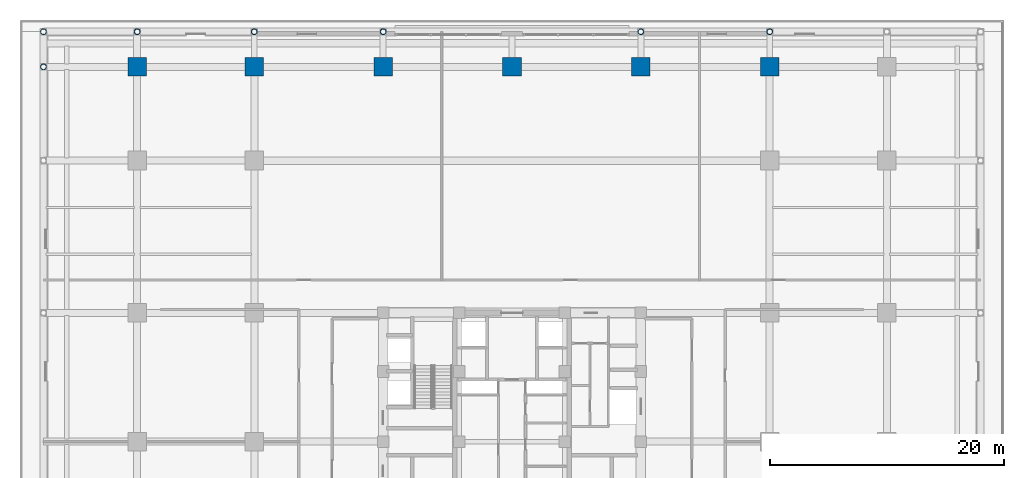
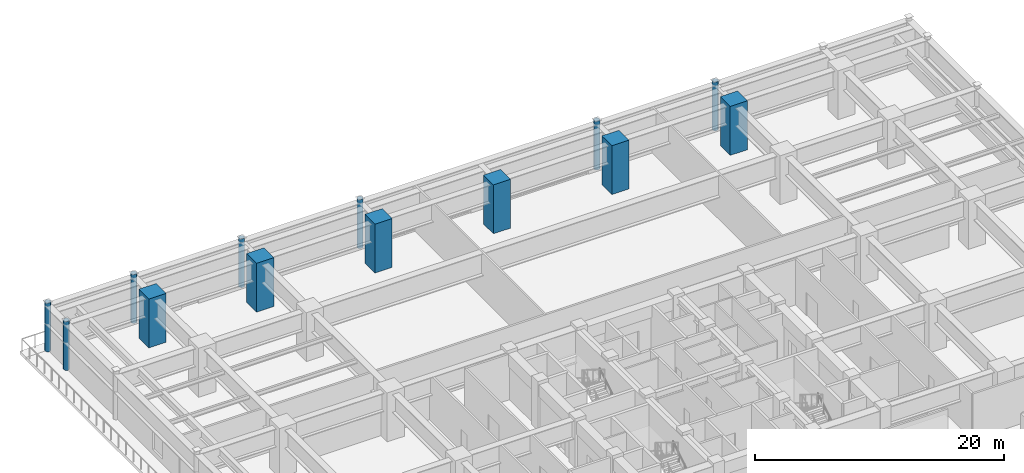
# One storey, part 5 of 38: 13 columns.
"""IFC4 building model written with IfcOpenShell, lengths in metres."""

from ifc_helpers import new_model, si_unit, direction, frame, origin, origin_2d, place, context, subcontext, project, spatial, rectangle, hollow_circle, extrude, source, transform, mapped, material, material_profile, profile_set, type_object, element, save


model = new_model("IFC4")

# Units and contexts
model_context = context("Model", 3, precision=1e-05, world=origin(), true_north=direction((0.0, 1.0)))
body_context = subcontext(model_context, "Body", "Model", "MODEL_VIEW")
ifc_project = project(units=[si_unit("LENGTHUNIT", "METRE"), si_unit("AREAUNIT", "SQUARE_METRE"), si_unit("VOLUMEUNIT", "CUBIC_METRE"), si_unit("PLANEANGLEUNIT", "RADIAN"), si_unit("MASSUNIT", "GRAM", prefix="KILO")], contexts=[model_context])

# Site, building, storey
site_placement = place(None, origin())
site = spatial("IfcSite", under=ifc_project, at=site_placement, CompositionType="ELEMENT")
building_placement = place(site_placement, origin())
building = spatial("IfcBuilding", under=site, at=building_placement, Name="Khorayat Bourse Tower", CompositionType="ELEMENT")
storey_placement = place(building_placement, frame((0.0, 0.0, 17.39990234375)))
storey = spatial("IfcBuildingStorey", under=building, at=storey_placement, Name="L03", CompositionType="ELEMENT", Elevation=17.39990234375)

# Columns
ifc_material_1 = material(Name="Concrete C72/90", Category="concrete")
ifc_material_profile_1 = material_profile(ifc_material_1, rectangle(XDim=1.60009765625, YDim=1.60009765625, at=origin_2d()), Name="RC 1600x1600")
ifc_profile_set_1 = profile_set([ifc_material_profile_1], Name="Concrete C72/90")
column_type_1 = type_object("IfcColumnType", Name="COL-MEGA-1600", PredefinedType="COLUMN", material=ifc_profile_set_1)
shared_shape_1 = source(origin(), body_context, "Body", "SweptSolid", [
    extrude(rectangle(XDim=1.60009765625, YDim=1.60009765625, at=origin_2d()), origin(), (0.0, 0.0, 1.0), 4.800048828125),
])
for number, where, z_axis, x_axis, name in (
    (1, (-32.0, 32.0, 0.0), (0.0, 0.0, 1.0), (1.0, 0.0, 0.0), "L03 Column 014"),
    (2, (-22.0, 32.0, 0.0), (0.0, 0.0, 1.0), (1.0, 0.0, 0.0), "L03 Column 023"),
    (3, (-11.0, 32.0, 0.0), (0.0, 0.0, 1.0), (1.0, 0.0, 0.0), "L03 Column 032"),
    (4, (0.0, 32.0, 0.0), (0.0, 0.0, 1.0), (1.0, 0.0, 0.0), "L03 Column 040"),
    (5, (11.0, 32.0, 0.0), (0.0, 0.0, 1.0), (1.0, 0.0, 0.0), "L03 Column 053"),
    (6, (22.0, 32.0, 0.0), (0.0, 0.0, 1.0), (1.0, 0.0, 0.0), "L03 Column 062"),
):
    element("IfcColumn", number, at=place(storey_placement, frame(where, z_axis=z_axis, x_axis=x_axis)), inside=storey, type_object=column_type_1, Name=name, PredefinedType="COLUMN", context=body_context, shape_type="MappedRepresentation", body=[
        mapped(shared_shape_1, transform((0.0, 0.0, 0.0), scale=1.0)),
    ])
ifc_material_2 = material(Name="Steel EN 10025-2 S355J2", Category="steel")
ifc_material_profile_2 = material_profile(ifc_material_2, hollow_circle(Radius=0.25390625, WallThickness=0.02490234375, at=origin_2d()), Name="CHS 508x25")
ifc_profile_set_2 = profile_set([ifc_material_profile_2], Name="Steel EN 10025-2 S355J2")
column_type_2 = type_object("IfcColumnType", Name="COL-POD-CHS508", PredefinedType="COLUMN", material=ifc_profile_set_2)
shared_shape_2 = source(origin(), body_context, "Body", "SweptSolid", [
    extrude(hollow_circle(Radius=0.25390625, WallThickness=0.02490234375, at=origin_2d()), origin(), (0.0, 0.0, 1.0), 4.800048828125),
])
for number, where, z_axis, x_axis, name in (
    (7, (-40.0, 35.0, 0.0), (0.0, 0.0, 1.0), (1.0, 0.0, 0.0), "L03 Column 006"),
    (8, (-32.0, 35.0, 0.0), (0.0, 0.0, 1.0), (1.0, 0.0, 0.0), "L03 Column 015"),
    (9, (-22.0, 35.0, 0.0), (0.0, 0.0, 1.0), (1.0, 0.0, 0.0), "L03 Column 024"),
    (10, (-11.0, 35.0, 0.0), (0.0, 0.0, 1.0), (1.0, 0.0, 0.0), "L03 Column 033"),
    (11, (11.0, 35.0, 0.0), (0.0, 0.0, 1.0), (1.0, 0.0, 0.0), "L03 Column 054"),
    (12, (22.0, 35.0, 0.0), (0.0, 0.0, 1.0), (1.0, 0.0, 0.0), "L03 Column 063"),
    (13, (-40.0, 32.0, 0.0), (0.0, 0.0, 1.0), (1.0, 0.0, 0.0), "L03 Perimeter Step Column 2"),
):
    element("IfcColumn", number, at=place(storey_placement, frame(where, z_axis=z_axis, x_axis=x_axis)), inside=storey, type_object=column_type_2, Name=name, PredefinedType="COLUMN", context=body_context, shape_type="MappedRepresentation", body=[
        mapped(shared_shape_2, transform((0.0, 0.0, 0.0), scale=1.0)),
    ])

save(model, "model.ifc")
